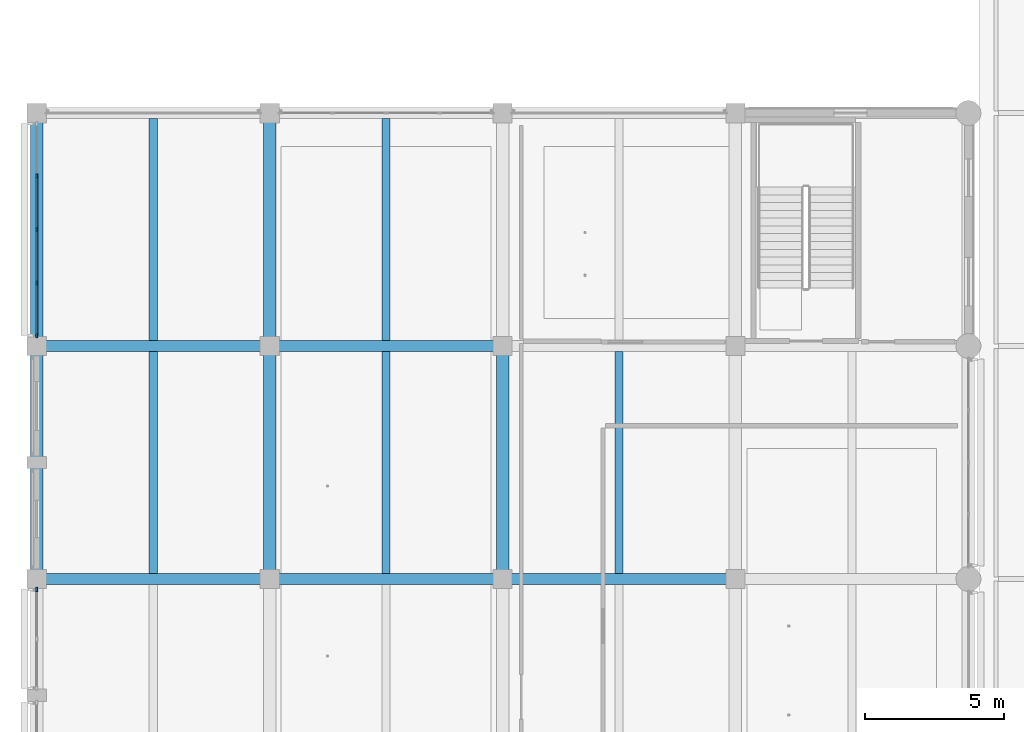
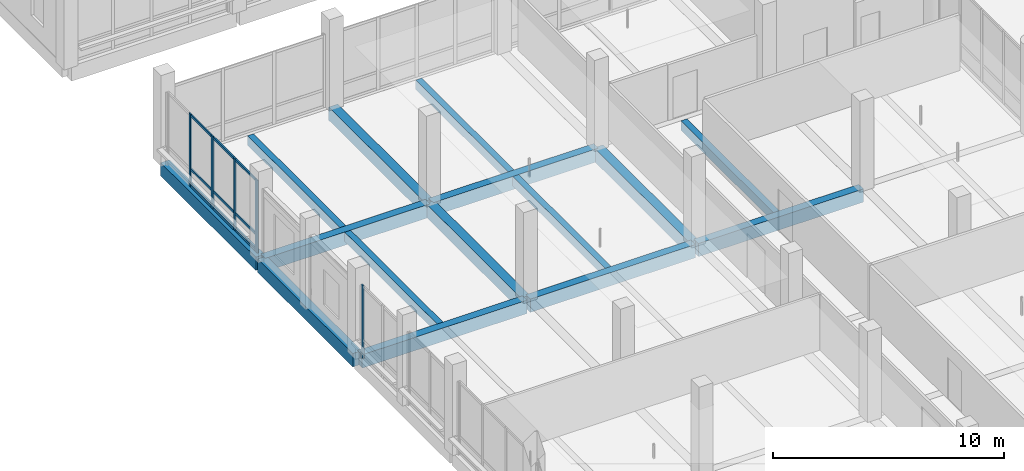
# One storey, part 14 of 128: 15 beams, 14 members, 2 elements without a shape of their own.
"""IFC4 building model written with IfcOpenShell, lengths in metres."""

from ifc_helpers import new_model, si_unit, direction, frame, origin, origin_2d, place, context, subcontext, project, spatial, rectangle, extrude, material, layer, layer_set, material_profile, profile_set, type_object, element, aggregate, save


model = new_model("IFC4")

# Units and contexts
model_context = context("Model", 3, precision=1e-05, world=origin(), true_north=direction((0.0, 1.0)))
body_context = subcontext(model_context, "Body", "Model", "MODEL_VIEW")
ifc_project = project(units=[si_unit("LENGTHUNIT", "METRE"), si_unit("AREAUNIT", "SQUARE_METRE"), si_unit("VOLUMEUNIT", "CUBIC_METRE"), si_unit("PLANEANGLEUNIT", "RADIAN"), si_unit("MASSUNIT", "GRAM", prefix="KILO")], contexts=[model_context])

# Site, building, storey
site_placement = place(None, origin())
site = spatial("IfcSite", under=ifc_project, at=site_placement, CompositionType="ELEMENT")
building_placement = place(site_placement, origin())
building = spatial("IfcBuilding", under=site, at=building_placement, Name="Telukmera Botanical Conservatory", CompositionType="ELEMENT")
storey_placement = place(building_placement, frame((0.0, 0.0, 5.39990234375)))
storey = spatial("IfcBuildingStorey", under=building, at=storey_placement, Name="L01", CompositionType="ELEMENT", Elevation=5.39990234375)

# Beams
ifc_material_1 = material(Name="Concrete C40/50", Category="concrete")
ifc_material_profile_1 = material_profile(ifc_material_1, rectangle(XDim=0.449951171875, YDim=0.699951171875, at=origin_2d()), Name="RC 450x700")
ifc_profile_set_1 = profile_set([ifc_material_profile_1], Name="Concrete C40/50")
beam_type_1 = type_object("IfcBeamType", Name="Beam_B15", PredefinedType="BEAM", material=ifc_profile_set_1)
for number, where, z_axis, x_axis, name in (
    (1, (8.39990234375, 58.080078125, -0.349853515625), (0.0, 1.0, 0.0), (-1.0, 0.0, 0.0), "Visitor Wing Transverse Beam L01"),
    (2, (8.39990234375, 66.47998046875, -0.349853515625), (0.0, 1.0, 0.0), (-1.0, 0.0, 0.0), "Visitor Wing Transverse Beam L01"),
    (3, (16.800048828125, 58.080078125, -0.349853515625), (0.0, 1.0, 0.0), (-1.0, 0.0, 0.0), "Visitor Wing Transverse Beam L01"),
    (4, (16.800048828125, 66.47998046875, -0.349853515625), (0.0, 1.0, 0.0), (-1.0, 0.0, 0.0), "Visitor Wing Transverse Beam L01"),
    (5, (25.199951171875, 58.080078125, -0.349853515625), (0.0, 1.0, 0.0), (-1.0, 0.0, 0.0), "Visitor Wing Transverse Beam L01"),
):
    element("IfcBeam", number, at=place(storey_placement, frame(where, z_axis=z_axis, x_axis=x_axis)), inside=storey, type_object=beam_type_1, Name=name, PredefinedType="BEAM", context=body_context, shape_type="SweptSolid", body=[
        extrude(rectangle(XDim=0.449951171875, YDim=0.699951171875, at=origin_2d()), origin(), (0.0, 0.0, 1.0), 8.239990234375),
    ])
ifc_material_profile_2 = material_profile(ifc_material_1, rectangle(XDim=0.300048828125, YDim=0.5, at=origin_2d()), Name="RC 300x500")
ifc_profile_set_2 = profile_set([ifc_material_profile_2], Name="Concrete C40/50")
beam_type_2 = type_object("IfcBeamType", Name="Beam_B24", PredefinedType="JOIST", material=ifc_profile_set_2)
for number, where, z_axis, x_axis, name in (
    (6, (12.60009765625, 58.199951171875, -0.25), (0.0, 1.0, 0.0), (-1.0, 0.0, 0.0), "Visitor Wing Floor Joist L01"),
    (7, (12.60009765625, 66.60009765625, -0.25), (0.0, 1.0, 0.0), (-1.0, 0.0, 0.0), "Visitor Wing Floor Joist L01"),
    (8, (21.0, 58.199951171875, -0.25), (0.0, 1.0, 0.0), (-1.0, 0.0, 0.0), "Visitor Wing Floor Joist L01"),
    (9, (21.0, 66.60009765625, -0.25), (0.0, 1.0, 0.0), (-1.0, 0.0, 0.0), "Visitor Wing Floor Joist L01"),
    (10, (29.39990234375, 58.199951171875, -0.25), (0.0, 1.0, 0.0), (-1.0, 0.0, 0.0), "Visitor Wing Floor Joist L01"),
):
    element("IfcBeam", number, at=place(storey_placement, frame(where, z_axis=z_axis, x_axis=x_axis)), inside=storey, type_object=beam_type_2, Name=name, PredefinedType="JOIST", context=body_context, shape_type="SweptSolid", body=[
        extrude(rectangle(XDim=0.300048828125, YDim=0.5, at=origin_2d()), origin(), (0.0, 0.0, 1.0), 8.0),
    ])
ifc_material_profile_3 = material_profile(ifc_material_1, rectangle(XDim=0.39990234375, YDim=0.699951171875, at=origin_2d()), Name="RC 400x700")
ifc_profile_set_3 = profile_set([ifc_material_profile_3], Name="Concrete C40/50")
beam_type_3 = type_object("IfcBeamType", Name="Beam_B7", PredefinedType="BEAM", material=ifc_profile_set_3)
beam_1_placement = place(storey_placement, frame((8.47998046875, 58.0, -0.349853515625), z_axis=(1.0, 0.0, 0.0), x_axis=(0.0, 1.0, 0.0)))
element("IfcBeam", 11, at=beam_1_placement, inside=storey, type_object=beam_type_3, Name="Visitor Wing Grid Beam L01", PredefinedType="BEAM", context=body_context, shape_type="SweptSolid", body=[
    extrude(rectangle(XDim=0.39990234375, YDim=0.699951171875, at=origin_2d()), origin(), (0.0, 0.0, 1.0), 8.239990234375),
])
beam_2_placement = place(storey_placement, frame((16.8798828125, 58.0, -0.349853515625), z_axis=(1.0, 0.0, 0.0), x_axis=(0.0, 1.0, 0.0)))
element("IfcBeam", 12, at=beam_2_placement, inside=storey, type_object=beam_type_3, Name="Visitor Wing Grid Beam L01", PredefinedType="BEAM", context=body_context, shape_type="SweptSolid", body=[
    extrude(rectangle(XDim=0.39990234375, YDim=0.699951171875, at=origin_2d()), origin(), (0.0, 0.0, 1.0), 8.240234375),
])
for number, where, z_axis, x_axis, name in (
    (13, (25.280029296875, 58.0, -0.349853515625), (1.0, 0.0, 0.0), (0.0, 1.0, 0.0), "Visitor Wing Grid Beam L01"),
    (14, (8.47998046875, 66.39990234375, -0.349853515625), (1.0, 0.0, 0.0), (0.0, 1.0, 0.0), "Visitor Wing Grid Beam L01"),
):
    element("IfcBeam", number, at=place(storey_placement, frame(where, z_axis=z_axis, x_axis=x_axis)), inside=storey, type_object=beam_type_3, Name=name, PredefinedType="BEAM", context=body_context, shape_type="SweptSolid", body=[
        extrude(rectangle(XDim=0.39990234375, YDim=0.699951171875, at=origin_2d()), origin(), (0.0, 0.0, 1.0), 8.239990234375),
    ])
beam_3_placement = place(storey_placement, frame((16.8798828125, 66.39990234375, -0.349853515625), z_axis=(1.0, 0.0, 0.0), x_axis=(0.0, 1.0, 0.0)))
element("IfcBeam", 15, at=beam_3_placement, inside=storey, type_object=beam_type_3, Name="Visitor Wing Grid Beam L01", PredefinedType="BEAM", context=body_context, shape_type="SweptSolid", body=[
    extrude(rectangle(XDim=0.39990234375, YDim=0.699951171875, at=origin_2d()), origin(), (0.0, 0.0, 1.0), 8.240234375),
])

# Curtain wall, member
ifc_material_2 = material(Name="Anodised aluminium 6063-T6", Category="aluminium")
ifc_layer = layer(ifc_material_2, 0.179931640625)
ifc_layer_set = layer_set([ifc_layer], Name="Anodised aluminium 6063-T6")
curtain_wall_type = type_object("IfcCurtainWallType", Name="Visitor Gallery First Floor Curtain Wall 1800 Mod", PredefinedType="USERDEFINED", material=ifc_layer_set)
curtain_wall_1_placement = place(storey_placement, origin())
curtain_wall_1 = element("IfcCurtainWall", 16, at=curtain_wall_1_placement, inside=storey, type_object=curtain_wall_type, Name="Unitised Curtain Wall CW08 V3:L01:W5B", ObjectType="UNITISED CURTAIN WALL", PredefinedType="USERDEFINED")
ifc_material_profile_4 = material_profile(ifc_material_2, rectangle(XDim=0.06494140625, YDim=0.159912109375, at=origin_2d()), Name="ALU MULL 65x160")
ifc_profile_set_4 = profile_set([ifc_material_profile_4], Name="Anodised aluminium 6063-T6")
member_type_1 = type_object("IfcMemberType", Name="Curtain Wall Extruded Mullion 65x160", PredefinedType="MULLION", material=ifc_profile_set_4)
member_1_placement = place(storey_placement, frame((8.39990234375, 57.615478515625, 0.0), z_axis=(0.0, 0.0, 1.0), x_axis=(-1.0, 0.0, 0.0)))
member_1 = element("IfcMember", 17, at=member_1_placement, type_object=member_type_1, Name="CW08 mullion 3", PredefinedType="MULLION", context=body_context, shape_type="SweptSolid", body=[
    extrude(rectangle(XDim=0.06494140625, YDim=0.159912109375, at=origin_2d()), origin(), (0.0, 0.0, 1.0), 3.85009765625),
])
aggregate(curtain_wall_1, [member_1])

# Curtain wall, members
curtain_wall_2_placement = place(storey_placement, origin())
curtain_wall_2 = element("IfcCurtainWall", 18, at=curtain_wall_2_placement, inside=storey, type_object=curtain_wall_type, Name="Unitised Curtain Wall CW08 V3:L01:W7", ObjectType="UNITISED CURTAIN WALL", PredefinedType="USERDEFINED")
member_2_placement = place(storey_placement, frame((8.39990234375, 66.784423828125, 0.0), z_axis=(0.0, 0.0, 1.0), x_axis=(-1.0, 0.0, 0.0)))
member_2 = element("IfcMember", 19, at=member_2_placement, type_object=member_type_1, Name="CW08 mullion 1", PredefinedType="MULLION", context=body_context, shape_type="SweptSolid", body=[
    extrude(rectangle(XDim=0.06494140625, YDim=0.159912109375, at=origin_2d()), origin(), (0.0, 0.0, 1.0), 3.85009765625),
])
member_3_placement = place(storey_placement, frame((8.39990234375, 68.676025390625, 0.0), z_axis=(0.0, 0.0, 1.0), x_axis=(-1.0, 0.0, 0.0)))
member_3 = element("IfcMember", 20, at=member_3_placement, type_object=member_type_1, Name="CW08 mullion 2", PredefinedType="MULLION", context=body_context, shape_type="SweptSolid", body=[
    extrude(rectangle(XDim=0.06494140625, YDim=0.159912109375, at=origin_2d()), origin(), (0.0, 0.0, 1.0), 3.85009765625),
])
member_4_placement = place(storey_placement, frame((8.39990234375, 70.60009765625, 0.0), z_axis=(0.0, 0.0, 1.0), x_axis=(-1.0, 0.0, 0.0)))
member_4 = element("IfcMember", 21, at=member_4_placement, type_object=member_type_1, Name="CW08 mullion 3", PredefinedType="MULLION", context=body_context, shape_type="SweptSolid", body=[
    extrude(rectangle(XDim=0.06494140625, YDim=0.159912109375, at=origin_2d()), origin(), (0.0, 0.0, 1.0), 3.85009765625),
])
member_5_placement = place(storey_placement, frame((8.39990234375, 72.52392578125, 0.0), z_axis=(0.0, 0.0, 1.0), x_axis=(-1.0, 0.0, 0.0)))
member_5 = element("IfcMember", 22, at=member_5_placement, type_object=member_type_1, Name="CW08 mullion 4", PredefinedType="MULLION", context=body_context, shape_type="SweptSolid", body=[
    extrude(rectangle(XDim=0.06494140625, YDim=0.159912109375, at=origin_2d()), origin(), (0.0, 0.0, 1.0), 3.85009765625),
])
ifc_material_profile_5 = material_profile(ifc_material_2, rectangle(XDim=0.06494140625, YDim=0.1298828125, at=origin_2d()), Name="ALU TRAN 65x130")
ifc_profile_set_5 = profile_set([ifc_material_profile_5], Name="Anodised aluminium 6063-T6")
member_type_2 = type_object("IfcMemberType", Name="Curtain Wall Extruded Transom 65x130", PredefinedType="USERDEFINED", material=ifc_profile_set_5)
member_6_placement = place(storey_placement, frame((8.39990234375, 66.81689453125, 0.065185546875), z_axis=(0.0, 1.0, 0.0), x_axis=(-1.0, 0.0, 0.0)))
member_6 = element("IfcMember", 23, at=member_6_placement, type_object=member_type_2, Name="CW08 transom 1.1", ObjectType="TRANSOM", PredefinedType="USERDEFINED", context=body_context, shape_type="SweptSolid", body=[
    extrude(rectangle(XDim=0.06494140625, YDim=0.1298828125, at=origin_2d()), origin(), (0.0, 0.0, 1.0), 1.82666015625),
])
member_7_placement = place(storey_placement, frame((8.39990234375, 66.81689453125, 0.9501953125), z_axis=(0.0, 1.0, 0.0), x_axis=(-1.0, 0.0, 0.0)))
member_7 = element("IfcMember", 24, at=member_7_placement, type_object=member_type_2, Name="CW08 transom 1.2", ObjectType="TRANSOM", PredefinedType="USERDEFINED", context=body_context, shape_type="SweptSolid", body=[
    extrude(rectangle(XDim=0.06494140625, YDim=0.1298828125, at=origin_2d()), origin(), (0.0, 0.0, 1.0), 1.82666015625),
])
member_8_placement = place(storey_placement, frame((8.39990234375, 66.81689453125, 3.78515625), z_axis=(0.0, 1.0, 0.0), x_axis=(-1.0, 0.0, 0.0)))
member_8 = element("IfcMember", 25, at=member_8_placement, type_object=member_type_2, Name="CW08 transom 1.3", ObjectType="TRANSOM", PredefinedType="USERDEFINED", context=body_context, shape_type="SweptSolid", body=[
    extrude(rectangle(XDim=0.06494140625, YDim=0.1298828125, at=origin_2d()), origin(), (0.0, 0.0, 1.0), 1.82666015625),
])
member_9_placement = place(storey_placement, frame((8.39990234375, 68.70849609375, 0.065185546875), z_axis=(0.0, 1.0, 0.0), x_axis=(-1.0, 0.0, 0.0)))
member_9 = element("IfcMember", 26, at=member_9_placement, type_object=member_type_2, Name="CW08 transom 2.1", ObjectType="TRANSOM", PredefinedType="USERDEFINED", context=body_context, shape_type="SweptSolid", body=[
    extrude(rectangle(XDim=0.06494140625, YDim=0.1298828125, at=origin_2d()), origin(), (0.0, 0.0, 1.0), 1.85888671875),
])
member_10_placement = place(storey_placement, frame((8.39990234375, 68.70849609375, 0.9501953125), z_axis=(0.0, 1.0, 0.0), x_axis=(-1.0, 0.0, 0.0)))
member_10 = element("IfcMember", 27, at=member_10_placement, type_object=member_type_2, Name="CW08 transom 2.2", ObjectType="TRANSOM", PredefinedType="USERDEFINED", context=body_context, shape_type="SweptSolid", body=[
    extrude(rectangle(XDim=0.06494140625, YDim=0.1298828125, at=origin_2d()), origin(), (0.0, 0.0, 1.0), 1.85888671875),
])
member_11_placement = place(storey_placement, frame((8.39990234375, 68.70849609375, 3.78515625), z_axis=(0.0, 1.0, 0.0), x_axis=(-1.0, 0.0, 0.0)))
member_11 = element("IfcMember", 28, at=member_11_placement, type_object=member_type_2, Name="CW08 transom 2.3", ObjectType="TRANSOM", PredefinedType="USERDEFINED", context=body_context, shape_type="SweptSolid", body=[
    extrude(rectangle(XDim=0.06494140625, YDim=0.1298828125, at=origin_2d()), origin(), (0.0, 0.0, 1.0), 1.85888671875),
])
member_12_placement = place(storey_placement, frame((8.39990234375, 70.632568359375, 0.065185546875), z_axis=(0.0, 1.0, 0.0), x_axis=(-1.0, 0.0, 0.0)))
member_12 = element("IfcMember", 29, at=member_12_placement, type_object=member_type_2, Name="CW08 transom 3.1", ObjectType="TRANSOM", PredefinedType="USERDEFINED", context=body_context, shape_type="SweptSolid", body=[
    extrude(rectangle(XDim=0.06494140625, YDim=0.1298828125, at=origin_2d()), origin(), (0.0, 0.0, 1.0), 1.85888671875),
])
member_13_placement = place(storey_placement, frame((8.39990234375, 70.632568359375, 0.9501953125), z_axis=(0.0, 1.0, 0.0), x_axis=(-1.0, 0.0, 0.0)))
member_13 = element("IfcMember", 30, at=member_13_placement, type_object=member_type_2, Name="CW08 transom 3.2", ObjectType="TRANSOM", PredefinedType="USERDEFINED", context=body_context, shape_type="SweptSolid", body=[
    extrude(rectangle(XDim=0.06494140625, YDim=0.1298828125, at=origin_2d()), origin(), (0.0, 0.0, 1.0), 1.85888671875),
])
member_14_placement = place(storey_placement, frame((8.39990234375, 70.632568359375, 3.78515625), z_axis=(0.0, 1.0, 0.0), x_axis=(-1.0, 0.0, 0.0)))
member_14 = element("IfcMember", 31, at=member_14_placement, type_object=member_type_2, Name="CW08 transom 3.3", ObjectType="TRANSOM", PredefinedType="USERDEFINED", context=body_context, shape_type="SweptSolid", body=[
    extrude(rectangle(XDim=0.06494140625, YDim=0.1298828125, at=origin_2d()), origin(), (0.0, 0.0, 1.0), 1.85888671875),
])
aggregate(curtain_wall_2, [member_2, member_3, member_4, member_5, member_6, member_7, member_8, member_9, member_10, member_11, member_12, member_13, member_14])

save(model, "model.ifc")
